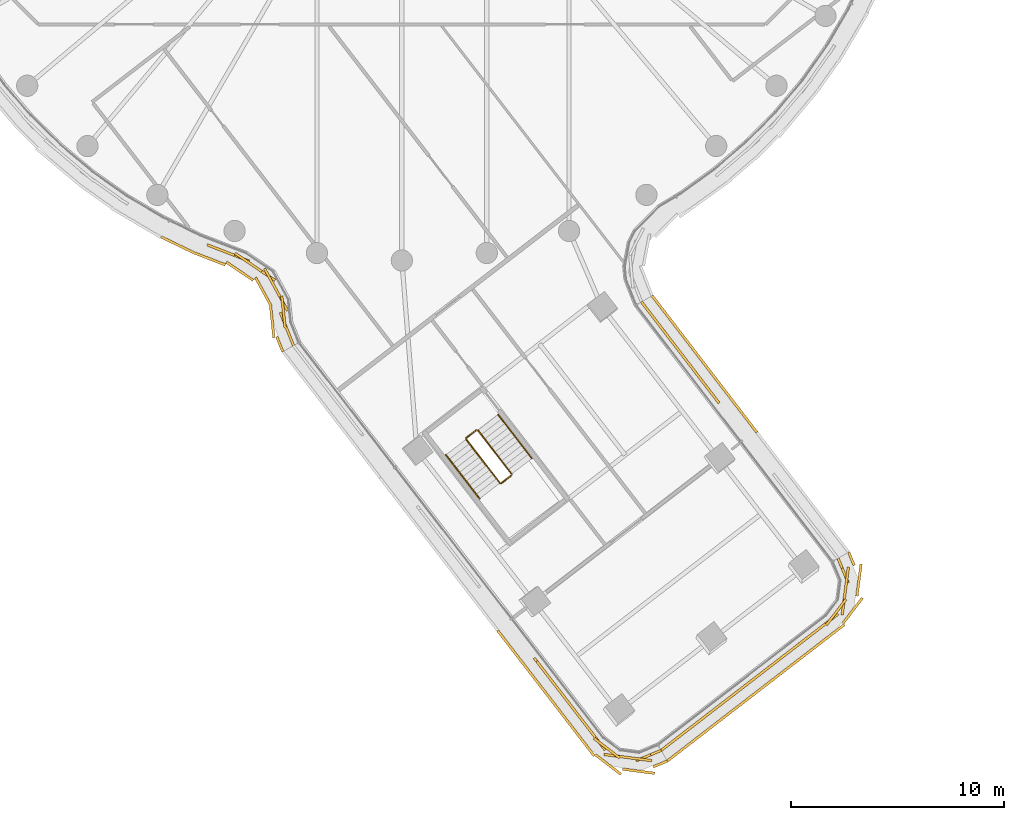
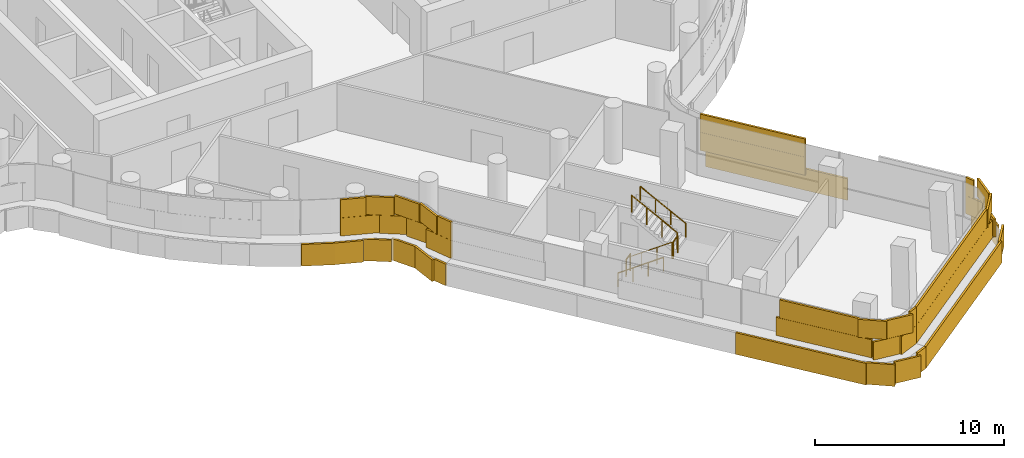
# One storey, part 27 of 33: 6 railings, 4 coverings.
"""IFC4 building model written with IfcOpenShell, lengths in metres."""

from ifc_helpers import new_model, si_unit, direction, frame, origin, origin_2d, place, context, subcontext, project, spatial, rectangle, circle, extrude, material, layer, layer_set, type_object, element, save


model = new_model("IFC4")

# Units and contexts
model_context = context("Model", 3, precision=1e-05, world=origin(), true_north=direction((0.0, 1.0)))
body_context = subcontext(model_context, "Body", "Model", "MODEL_VIEW")
ifc_project = project(units=[si_unit("LENGTHUNIT", "METRE"), si_unit("AREAUNIT", "SQUARE_METRE"), si_unit("VOLUMEUNIT", "CUBIC_METRE"), si_unit("PLANEANGLEUNIT", "RADIAN"), si_unit("MASSUNIT", "GRAM", prefix="KILO")], contexts=[model_context])

# Site, building, storey
site_placement = place(None, origin())
site = spatial("IfcSite", under=ifc_project, at=site_placement, CompositionType="ELEMENT")
building_placement = place(site_placement, origin())
building = spatial("IfcBuilding", under=site, at=building_placement, Name="Tamarind Cross Interchange Tower", CompositionType="ELEMENT")
storey_placement = place(building_placement, frame((0.0, 0.0, 170.5)))
storey = spatial("IfcBuildingStorey", under=building, at=storey_placement, Name="L42", CompositionType="ELEMENT", Elevation=170.5)

# Railings
ifc_material_1 = material(Name="Stair guard")
railing_type_1 = type_object("IfcRailingType", Name="Stair guard", PredefinedType="GUARDRAIL", material=ifc_material_1)
railing_1_placement = place(storey_placement, frame((3.022216796875, -31.41162109375, 0.17041015625)))
element("IfcRailing", 1, at=railing_1_placement, inside=storey, type_object=railing_type_1, Name="L42 ST6 stair guard 1", PredefinedType="GUARDRAIL", context=body_context, shape_type="SweptSolid", body=[
    extrude(circle(Radius=0.02392578125, at=origin_2d()), frame((0.0, 0.0, 1.076171875), z_axis=(0.510429269447, -0.662458664163, 0.548279562967), x_axis=(0.792135038923, 0.61034586925, 0.0)), (0.0, 0.0, 1.0), 3.10888671875),
    extrude(circle(Radius=0.02099609375, at=origin_2d()), origin(), (0.0, 0.0, 1.0), 1.052001953125),
    extrude(circle(Radius=0.02099609375, at=origin_2d()), frame((0.529052734375, -0.6865234375, 0.568115234375)), (0.0, 0.0, 1.0), 1.052001953125),
    extrude(circle(Radius=0.02099609375, at=origin_2d()), frame((1.057861328125, -1.373046875, 1.136474609375)), (0.0, 0.0, 1.0), 1.052001953125),
    extrude(circle(Radius=0.02099609375, at=origin_2d()), frame((1.5869140625, -2.0595703125, 1.70458984375)), (0.0, 0.0, 1.0), 1.052001953125),
])
railing_2_placement = place(storey_placement, frame((4.67919921875, -33.480224609375, 1.875)))
element("IfcRailing", 2, at=railing_2_placement, inside=storey, type_object=railing_type_1, Name="L42 ST6 stair guard 2", PredefinedType="GUARDRAIL", context=body_context, shape_type="SweptSolid", body=[
    extrude(circle(Radius=0.02392578125, at=origin_2d()), frame((0.0, 0.0, 1.076171875), z_axis=(0.792170014607, 0.610300473503, 0.0), x_axis=(-0.610300473503, 0.792170014607, 0.0)), (0.0, 0.0, 1.0), 0.60009765625),
    extrude(circle(Radius=0.02099609375, at=origin_2d()), origin(), (0.0, 0.0, 1.0), 1.052001953125),
    extrude(circle(Radius=0.02099609375, at=origin_2d()), frame((0.475341796875, 0.3662109375, 0.0)), (0.0, 0.0, 1.0), 1.052001953125),
])
railing_3_placement = place(storey_placement, frame((5.16357421875, -33.0439453125, 2.04541015625)))
element("IfcRailing", 3, at=railing_3_placement, inside=storey, type_object=railing_type_1, Name="L42 ST6 stair guard 3", PredefinedType="GUARDRAIL", context=body_context, shape_type="SweptSolid", body=[
    extrude(circle(Radius=0.02392578125, at=origin_2d()), frame((0.0, 0.0, 1.076171875), z_axis=(-0.510371197798, 0.662485216898, 0.548301539164), x_axis=(-0.792180437455, -0.610286944407, 0.0)), (0.0, 0.0, 1.0), 3.10888671875),
    extrude(circle(Radius=0.02099609375, at=origin_2d()), origin(), (0.0, 0.0, 1.0), 1.052001953125),
    extrude(circle(Radius=0.02099609375, at=origin_2d()), frame((-0.52880859375, 0.6865234375, 0.568115234375)), (0.0, 0.0, 1.0), 1.052001953125),
    extrude(circle(Radius=0.02099609375, at=origin_2d()), frame((-1.057861328125, 1.373046875, 1.136474609375)), (0.0, 0.0, 1.0), 1.052001953125),
    extrude(circle(Radius=0.02099609375, at=origin_2d()), frame((-1.586669921875, 2.0595703125, 1.70458984375)), (0.0, 0.0, 1.0), 1.052001953125),
])
railing_4_placement = place(storey_placement, frame((3.031494140625, -31.341552734375, 0.0)))
element("IfcRailing", 4, at=railing_4_placement, inside=storey, type_object=railing_type_1, Name="L42 ST6 stair guard 4", PredefinedType="GUARDRAIL", context=body_context, shape_type="SweptSolid", body=[
    extrude(circle(Radius=0.02392578125, at=origin_2d()), frame((0.0, 0.0, 1.076171875), z_axis=(0.792018396925, 0.610497222707, 0.0), x_axis=(-0.610497222707, 0.792018396925, 0.0)), (0.0, 0.0, 1.0), 0.599853515625),
    extrude(circle(Radius=0.02099609375, at=origin_2d()), origin(), (0.0, 0.0, 1.0), 1.052001953125),
    extrude(circle(Radius=0.02099609375, at=origin_2d()), frame((0.47509765625, 0.3662109375, 0.0)), (0.0, 0.0, 1.0), 1.052001953125),
])
ifc_material_2 = material(Name="Stair handrail")
railing_type_2 = type_object("IfcRailingType", Name="Stair handrail", PredefinedType="HANDRAIL", material=ifc_material_2)
railing_5_placement = place(storey_placement, frame((2.07177734375, -32.14404296875, 0.17041015625)))
element("IfcRailing", 5, at=railing_5_placement, inside=storey, type_object=railing_type_2, Name="L42 ST6 stair handrail 1", PredefinedType="HANDRAIL", context=body_context, shape_type="SweptSolid", body=[
    extrude(circle(Radius=0.02392578125, at=origin_2d()), frame((0.0, 0.0, 0.8759765625), z_axis=(0.510371197798, -0.662485216898, 0.548301539164), x_axis=(0.792180437455, 0.610286944407, 0.0)), (0.0, 0.0, 1.0), 3.10888671875),
    extrude(circle(Radius=0.02099609375, at=origin_2d()), origin(), (0.0, 0.0, 1.0), 0.851806640625),
    extrude(circle(Radius=0.02099609375, at=origin_2d()), frame((0.52880859375, -0.6865234375, 0.568115234375)), (0.0, 0.0, 1.0), 0.851806640625),
    extrude(circle(Radius=0.02099609375, at=origin_2d()), frame((1.057861328125, -1.373046875, 1.136474609375)), (0.0, 0.0, 1.0), 0.851806640625),
    extrude(circle(Radius=0.02099609375, at=origin_2d()), frame((1.586669921875, -2.0595703125, 1.70458984375)), (0.0, 0.0, 1.0), 0.851806640625),
])
railing_6_placement = place(storey_placement, frame((6.1142578125, -32.3115234375, 2.04541015625)))
element("IfcRailing", 6, at=railing_6_placement, inside=storey, type_object=railing_type_2, Name="L42 ST6 stair handrail 2", PredefinedType="HANDRAIL", context=body_context, shape_type="SweptSolid", body=[
    extrude(circle(Radius=0.02392578125, at=origin_2d()), frame((0.0, 0.0, 0.8759765625), z_axis=(-0.510429269447, 0.662458664163, 0.548279562967), x_axis=(-0.792135038923, -0.61034586925, 0.0)), (0.0, 0.0, 1.0), 3.10888671875),
    extrude(circle(Radius=0.02099609375, at=origin_2d()), origin(), (0.0, 0.0, 1.0), 0.851806640625),
    extrude(circle(Radius=0.02099609375, at=origin_2d()), frame((-0.529052734375, 0.6865234375, 0.568115234375)), (0.0, 0.0, 1.0), 0.851806640625),
    extrude(circle(Radius=0.02099609375, at=origin_2d()), frame((-1.057861328125, 1.373046875, 1.136474609375)), (0.0, 0.0, 1.0), 0.851806640625),
    extrude(circle(Radius=0.02099609375, at=origin_2d()), frame((-1.5869140625, 2.0595703125, 1.70458984375)), (0.0, 0.0, 1.0), 0.851806640625),
])

# Coverings
ifc_material_3 = material(Name="Terracotta", Category="masonry")
ifc_layer = layer(ifc_material_3, 0.1201171875)
ifc_layer_set = layer_set([ifc_layer], Name="Terracotta")
covering_type = type_object("IfcCoveringType", Name="Terracotta baguette screen unit", PredefinedType="MOLDING", material=ifc_layer_set)
covering_1_placement = place(storey_placement, origin())
element("IfcCovering", 7, at=covering_1_placement, inside=storey, type_object=covering_type, Name="SCR-L42-10-01", PredefinedType="MOLDING", context=body_context, shape_type="SweptSolid", body=[
    extrude(rectangle(XDim=0.62158203125, YDim=0.1201171875, at=origin_2d()), frame((-8.866943359375, -22.37548828125, 1.404052734375), z_axis=(0.0, 0.0, 1.0), x_axis=(0.932343972934, -0.361572559984, 0.0)), (0.0, 0.0, 1.0), 1.1669921875),
    extrude(rectangle(XDim=1.52001953125, YDim=0.1201171875, at=origin_2d()), frame((-7.882568359375, -22.757080078125, 1.404052734375), z_axis=(0.0, 0.0, 1.0), x_axis=(0.932343972934, -0.361572559984, 0.0)), (0.0, 0.0, 1.0), 1.1669921875),
    extrude(rectangle(XDim=1.52001953125, YDim=0.1201171875, at=origin_2d()), frame((-6.594970703125, -23.510986328125, 1.404052734375), z_axis=(0.0, 0.0, 1.0), x_axis=(0.827543928648, -0.561400967364, 0.0)), (0.0, 0.0, 1.0), 1.1669921875),
    extrude(rectangle(XDim=1.52001953125, YDim=0.1201171875, at=origin_2d()), frame((-5.73681640625, -24.70068359375, 1.404052734375), z_axis=(0.0, 0.0, 1.0), x_axis=(0.478047090214, -0.8783342072, 0.0)), (0.0, 0.0, 1.0), 1.1669921875),
    extrude(rectangle(XDim=1.52001953125, YDim=0.1201171875, at=origin_2d()), frame((-5.43701171875, -26.151611328125, 1.404052734375), z_axis=(0.0, 0.0, 1.0), x_axis=(0.372126452941, -0.928182041962, 0.0)), (0.0, 0.0, 1.0), 1.1669921875),
    extrude(rectangle(XDim=0.17724609375, YDim=0.1201171875, at=origin_2d()), frame((-5.126708984375, -26.92529296875, 1.404052734375), z_axis=(0.0, 0.0, 1.0), x_axis=(0.372126452941, -0.928182041962, 0.0)), (0.0, 0.0, 1.0), 1.1669921875),
    extrude(rectangle(XDim=1.37158203125, YDim=0.1201171875, at=origin_2d()), frame((-8.517333984375, -22.510986328125, 2.5791015625), z_axis=(0.0, 0.0, 1.0), x_axis=(0.932343972934, -0.361572559984, 0.0)), (0.0, 0.0, 1.0), 1.1669921875),
    extrude(rectangle(XDim=1.52001953125, YDim=0.1201171875, at=origin_2d()), frame((-7.215576171875, -23.090087890625, 2.5791015625), z_axis=(0.0, 0.0, 1.0), x_axis=(0.827543928648, -0.561400967364, 0.0)), (0.0, 0.0, 1.0), 1.1669921875),
    extrude(rectangle(XDim=1.52001953125, YDim=0.1201171875, at=origin_2d()), frame((-6.095458984375, -24.0419921875, 2.5791015625), z_axis=(0.0, 0.0, 1.0), x_axis=(0.478047090214, -0.8783342072, 0.0)), (0.0, 0.0, 1.0), 1.1669921875),
    extrude(rectangle(XDim=1.52001953125, YDim=0.1201171875, at=origin_2d()), frame((-5.568359375, -25.418701171875, 2.5791015625), z_axis=(0.0, 0.0, 1.0), x_axis=(0.105931590269, -0.99437341989, 0.0)), (0.0, 0.0, 1.0), 1.1669921875),
    extrude(rectangle(XDim=0.92724609375, YDim=0.1201171875, at=origin_2d()), frame((-5.266357421875, -26.577392578125, 2.5791015625), z_axis=(0.0, 0.0, 1.0), x_axis=(0.372126452941, -0.928182041962, 0.0)), (0.0, 0.0, 1.0), 1.1669921875),
    extrude(rectangle(XDim=0.296630859375, YDim=0.1201171875, at=origin_2d()), frame((-11.1875, -21.959228515625, 0.00390625), z_axis=(0.0, 0.0, 1.0), x_axis=(0.900272776334, -0.435326231914, 0.0)), (0.0, 0.0, 1.0), 1.39208984375),
    extrude(rectangle(XDim=1.52001953125, YDim=0.1201171875, at=origin_2d()), frame((-10.387939453125, -22.345703125, 0.00390625), z_axis=(0.0, 0.0, 1.0), x_axis=(0.900272776334, -0.435326231914, 0.0)), (0.0, 0.0, 1.0), 1.39208984375),
    extrude(rectangle(XDim=1.52001953125, YDim=0.1201171875, at=origin_2d()), frame((-9.010009765625, -22.935546875, 0.00390625), z_axis=(0.0, 0.0, 1.0), x_axis=(0.932343972934, -0.361572559984, 0.0)), (0.0, 0.0, 1.0), 1.39208984375),
    extrude(rectangle(XDim=1.52001953125, YDim=0.1201171875, at=origin_2d()), frame((-7.625732421875, -23.50537109375, 0.00390625), z_axis=(0.0, 0.0, 1.0), x_axis=(0.827543928648, -0.561400967364, 0.0)), (0.0, 0.0, 1.0), 1.39208984375),
    extrude(rectangle(XDim=1.52001953125, YDim=0.1201171875, at=origin_2d()), frame((-6.51708984375, -24.4677734375, 0.00390625), z_axis=(0.0, 0.0, 1.0), x_axis=(0.478047090214, -0.8783342072, 0.0)), (0.0, 0.0, 1.0), 1.39208984375),
    extrude(rectangle(XDim=1.52001953125, YDim=0.1201171875, at=origin_2d()), frame((-6.0966796875, -25.877685546875, 0.00390625), z_axis=(0.0, 0.0, 1.0), x_axis=(0.105931590269, -0.99437341989, 0.0)), (0.0, 0.0, 1.0), 1.39208984375),
    extrude(rectangle(XDim=0.76513671875, YDim=0.1201171875, at=origin_2d()), frame((-5.7412109375, -26.935302734375, 0.00390625), z_axis=(0.0, 0.0, 1.0), x_axis=(0.372126452941, -0.928182041962, 0.0)), (0.0, 0.0, 1.0), 1.39208984375),
])
covering_2_placement = place(storey_placement, origin())
element("IfcCovering", 8, at=covering_2_placement, inside=storey, type_object=covering_type, Name="SCR-L42-11-02", PredefinedType="MOLDING", context=body_context, shape_type="SweptSolid", body=[
    extrude(rectangle(XDim=0.958740234375, YDim=0.1201171875, at=origin_2d()), frame((6.51611328125, -42.07421875, 1.404052734375), z_axis=(0.0, 0.0, 1.0), x_axis=(0.610322147879, -0.792153315847, 0.0)), (0.0, 0.0, 1.0), 1.1669921875),
    extrude(rectangle(XDim=1.52001953125, YDim=0.1201171875, at=origin_2d()), frame((7.263427734375, -43.044189453125, 1.404052734375), z_axis=(0.0, 0.0, 1.0), x_axis=(0.610322147879, -0.792153315847, 0.0)), (0.0, 0.0, 1.0), 1.1669921875),
    extrude(rectangle(XDim=1.52001953125, YDim=0.1201171875, at=origin_2d()), frame((8.1787109375, -44.232421875, 1.404052734375), z_axis=(0.0, 0.0, 1.0), x_axis=(0.610322147879, -0.792153315847, 0.0)), (0.0, 0.0, 1.0), 1.1669921875),
    extrude(rectangle(XDim=1.52001953125, YDim=0.1201171875, at=origin_2d()), frame((9.09423828125, -45.420654296875, 1.404052734375), z_axis=(0.0, 0.0, 1.0), x_axis=(0.610322147879, -0.792153315847, 0.0)), (0.0, 0.0, 1.0), 1.1669921875),
    extrude(rectangle(XDim=1.52001953125, YDim=0.1201171875, at=origin_2d()), frame((10.254150390625, -46.328857421875, 1.404052734375), z_axis=(0.0, 0.0, 1.0), x_axis=(0.991699910849, -0.128574051901, 0.0)), (0.0, 0.0, 1.0), 1.1669921875),
    extrude(rectangle(XDim=1.29150390625, YDim=0.1201171875, at=origin_2d()), frame((11.603759765625, -46.28662109375, 1.404052734375), z_axis=(0.0, 0.0, 1.0), x_axis=(0.923124341677, 0.38450156021, 0.0)), (0.0, 0.0, 1.0), 1.1669921875),
    extrude(rectangle(XDim=1.52001953125, YDim=0.1201171875, at=origin_2d()), frame((6.8056640625, -42.449951171875, 2.5791015625), z_axis=(0.0, 0.0, 1.0), x_axis=(0.610322147879, -0.792153315847, 0.0)), (0.0, 0.0, 1.0), 1.1669921875),
    extrude(rectangle(XDim=1.52001953125, YDim=0.1201171875, at=origin_2d()), frame((7.72119140625, -43.63818359375, 2.5791015625), z_axis=(0.0, 0.0, 1.0), x_axis=(0.610322147879, -0.792153315847, 0.0)), (0.0, 0.0, 1.0), 1.1669921875),
    extrude(rectangle(XDim=1.52001953125, YDim=0.1201171875, at=origin_2d()), frame((8.636474609375, -44.826416015625, 2.5791015625), z_axis=(0.0, 0.0, 1.0), x_axis=(0.610322147879, -0.792153315847, 0.0)), (0.0, 0.0, 1.0), 1.1669921875),
    extrude(rectangle(XDim=1.52001953125, YDim=0.1201171875, at=origin_2d()), frame((9.634033203125, -45.932373046875, 2.5791015625), z_axis=(0.0, 0.0, 1.0), x_axis=(0.794550289775, -0.607198350638, 0.0)), (0.0, 0.0, 1.0), 1.1669921875),
    extrude(rectangle(XDim=1.52001953125, YDim=0.1201171875, at=origin_2d()), frame((10.998046875, -46.42529296875, 2.5791015625), z_axis=(0.0, 0.0, 1.0), x_axis=(0.991699910849, -0.128574051901, 0.0)), (0.0, 0.0, 1.0), 1.1669921875),
    extrude(rectangle(XDim=0.54150390625, YDim=0.1201171875, at=origin_2d()), frame((11.949951171875, -46.142578125, 2.5791015625), z_axis=(0.0, 0.0, 1.0), x_axis=(0.923124341677, 0.38450156021, 0.0)), (0.0, 0.0, 1.0), 1.1669921875),
    extrude(rectangle(XDim=1.450439453125, YDim=0.1201171875, at=origin_2d()), frame((4.950439453125, -40.982666015625, 0.00390625), z_axis=(0.0, 0.0, 1.0), x_axis=(0.610322147879, -0.792153315847, 0.0)), (0.0, 0.0, 1.0), 1.39208984375),
    extrude(rectangle(XDim=1.52001953125, YDim=0.1201171875, at=origin_2d()), frame((5.8447265625, -42.143310546875, 0.00390625), z_axis=(0.0, 0.0, 1.0), x_axis=(0.610322147879, -0.792153315847, 0.0)), (0.0, 0.0, 1.0), 1.39208984375),
    extrude(rectangle(XDim=1.52001953125, YDim=0.1201171875, at=origin_2d()), frame((6.760009765625, -43.33154296875, 0.00390625), z_axis=(0.0, 0.0, 1.0), x_axis=(0.610322147879, -0.792153315847, 0.0)), (0.0, 0.0, 1.0), 1.39208984375),
    extrude(rectangle(XDim=1.52001953125, YDim=0.1201171875, at=origin_2d()), frame((7.675537109375, -44.519775390625, 0.00390625), z_axis=(0.0, 0.0, 1.0), x_axis=(0.610322147879, -0.792153315847, 0.0)), (0.0, 0.0, 1.0), 1.39208984375),
    extrude(rectangle(XDim=1.52001953125, YDim=0.1201171875, at=origin_2d()), frame((8.591064453125, -45.7080078125, 0.00390625), z_axis=(0.0, 0.0, 1.0), x_axis=(0.610322147879, -0.792153315847, 0.0)), (0.0, 0.0, 1.0), 1.39208984375),
    extrude(rectangle(XDim=1.52001953125, YDim=0.1201171875, at=origin_2d()), frame((9.697998046875, -46.703857421875, 0.00390625), z_axis=(0.0, 0.0, 1.0), x_axis=(0.794550289775, -0.607198350638, 0.0)), (0.0, 0.0, 1.0), 1.39208984375),
    extrude(rectangle(XDim=1.52001953125, YDim=0.1201171875, at=origin_2d()), frame((11.13427734375, -47.021728515625, 0.00390625), z_axis=(0.0, 0.0, 1.0), x_axis=(0.991699910849, -0.128574051901, 0.0)), (0.0, 0.0, 1.0), 1.39208984375),
    extrude(rectangle(XDim=0.712890625, YDim=0.1201171875, at=origin_2d()), frame((12.15673828125, -46.67822265625, 0.00390625), z_axis=(0.0, 0.0, 1.0), x_axis=(0.923124341677, 0.38450156021, 0.0)), (0.0, 0.0, 1.0), 1.39208984375),
])
covering_3_placement = place(storey_placement, origin())
element("IfcCovering", 9, at=covering_3_placement, inside=storey, type_object=covering_type, Name="SCR-L42-12-00", PredefinedType="MOLDING", context=body_context, shape_type="SweptSolid", body=[
    extrude(rectangle(XDim=1.510009765625, YDim=0.1201171875, at=origin_2d()), frame((12.789306640625, -45.58251953125, 1.404052734375), z_axis=(0.0, 0.0, 1.0), x_axis=(0.792153315847, 0.610322147879, 0.0)), (0.0, 0.0, 1.0), 1.1669921875),
    extrude(rectangle(XDim=1.52001953125, YDim=0.1201171875, at=origin_2d()), frame((13.9775390625, -44.6669921875, 1.404052734375), z_axis=(0.0, 0.0, 1.0), x_axis=(0.792153315847, 0.610322147879, 0.0)), (0.0, 0.0, 1.0), 1.1669921875),
    extrude(rectangle(XDim=1.52001953125, YDim=0.1201171875, at=origin_2d()), frame((15.165771484375, -43.751708984375, 1.404052734375), z_axis=(0.0, 0.0, 1.0), x_axis=(0.792153315847, 0.610322147879, 0.0)), (0.0, 0.0, 1.0), 1.1669921875),
    extrude(rectangle(XDim=1.52001953125, YDim=0.1201171875, at=origin_2d()), frame((16.35400390625, -42.836181640625, 1.404052734375), z_axis=(0.0, 0.0, 1.0), x_axis=(0.792153315847, 0.610322147879, 0.0)), (0.0, 0.0, 1.0), 1.1669921875),
    extrude(rectangle(XDim=1.52001953125, YDim=0.1201171875, at=origin_2d()), frame((17.542236328125, -41.920654296875, 1.404052734375), z_axis=(0.0, 0.0, 1.0), x_axis=(0.792153315847, 0.610322147879, 0.0)), (0.0, 0.0, 1.0), 1.1669921875),
    extrude(rectangle(XDim=1.52001953125, YDim=0.1201171875, at=origin_2d()), frame((18.73046875, -41.005126953125, 1.404052734375), z_axis=(0.0, 0.0, 1.0), x_axis=(0.792153315847, 0.610322147879, 0.0)), (0.0, 0.0, 1.0), 1.1669921875),
    extrude(rectangle(XDim=1.52001953125, YDim=0.1201171875, at=origin_2d()), frame((19.918701171875, -40.089599609375, 1.404052734375), z_axis=(0.0, 0.0, 1.0), x_axis=(0.792153315847, 0.610322147879, 0.0)), (0.0, 0.0, 1.0), 1.1669921875),
    extrude(rectangle(XDim=1.52001953125, YDim=0.1201171875, at=origin_2d()), frame((20.805908203125, -38.917724609375, 1.404052734375), z_axis=(0.0, 0.0, 1.0), x_axis=(0.128574051901, 0.991699910849, 0.0)), (0.0, 0.0, 1.0), 1.1669921875),
    extrude(rectangle(XDim=1.259521484375, YDim=0.1201171875, at=origin_2d()), frame((20.753662109375, -37.5849609375, 1.404052734375), z_axis=(0.0, 0.0, 1.0), x_axis=(-0.38450156021, 0.923124341677, 0.0)), (0.0, 0.0, 1.0), 1.1669921875),
    extrude(rectangle(XDim=0.760009765625, YDim=0.1201171875, at=origin_2d()), frame((12.4921875, -45.8115234375, 2.5791015625), z_axis=(0.0, 0.0, 1.0), x_axis=(0.792153315847, 0.610322147879, 0.0)), (0.0, 0.0, 1.0), 1.1669921875),
    extrude(rectangle(XDim=1.52001953125, YDim=0.1201171875, at=origin_2d()), frame((13.383544921875, -45.124755859375, 2.5791015625), z_axis=(0.0, 0.0, 1.0), x_axis=(0.792153315847, 0.610322147879, 0.0)), (0.0, 0.0, 1.0), 1.1669921875),
    extrude(rectangle(XDim=1.52001953125, YDim=0.1201171875, at=origin_2d()), frame((14.57177734375, -44.20947265625, 2.5791015625), z_axis=(0.0, 0.0, 1.0), x_axis=(0.792153315847, 0.610322147879, 0.0)), (0.0, 0.0, 1.0), 1.1669921875),
    extrude(rectangle(XDim=1.52001953125, YDim=0.1201171875, at=origin_2d()), frame((15.760009765625, -43.2939453125, 2.5791015625), z_axis=(0.0, 0.0, 1.0), x_axis=(0.792153315847, 0.610322147879, 0.0)), (0.0, 0.0, 1.0), 1.1669921875),
    extrude(rectangle(XDim=1.52001953125, YDim=0.1201171875, at=origin_2d()), frame((16.9482421875, -42.37841796875, 2.5791015625), z_axis=(0.0, 0.0, 1.0), x_axis=(0.792153315847, 0.610322147879, 0.0)), (0.0, 0.0, 1.0), 1.1669921875),
    extrude(rectangle(XDim=1.52001953125, YDim=0.1201171875, at=origin_2d()), frame((18.136474609375, -41.462890625, 2.5791015625), z_axis=(0.0, 0.0, 1.0), x_axis=(0.792153315847, 0.610322147879, 0.0)), (0.0, 0.0, 1.0), 1.1669921875),
    extrude(rectangle(XDim=1.52001953125, YDim=0.1201171875, at=origin_2d()), frame((19.32470703125, -40.54736328125, 2.5791015625), z_axis=(0.0, 0.0, 1.0), x_axis=(0.792153315847, 0.610322147879, 0.0)), (0.0, 0.0, 1.0), 1.1669921875),
    extrude(rectangle(XDim=1.52001953125, YDim=0.1201171875, at=origin_2d()), frame((20.4248046875, -39.544189453125, 2.5791015625), z_axis=(0.0, 0.0, 1.0), x_axis=(0.607198350638, 0.794550289775, 0.0)), (0.0, 0.0, 1.0), 1.1669921875),
    extrude(rectangle(XDim=1.52001953125, YDim=0.1201171875, at=origin_2d()), frame((20.90234375, -38.173828125, 2.5791015625), z_axis=(0.0, 0.0, 1.0), x_axis=(0.128574051901, 0.991699910849, 0.0)), (0.0, 0.0, 1.0), 1.1669921875),
    extrude(rectangle(XDim=0.509521484375, YDim=0.1201171875, at=origin_2d()), frame((20.609619140625, -37.23876953125, 2.5791015625), z_axis=(0.0, 0.0, 1.0), x_axis=(-0.38450156021, 0.923124341677, 0.0)), (0.0, 0.0, 1.0), 1.1669921875),
    extrude(rectangle(XDim=1.510009765625, YDim=0.1201171875, at=origin_2d()), frame((13.083740234375, -46.080322265625, 0.00390625), z_axis=(0.0, 0.0, 1.0), x_axis=(0.792153315847, 0.610322147879, 0.0)), (0.0, 0.0, 1.0), 1.39208984375),
    extrude(rectangle(XDim=1.52001953125, YDim=0.1201171875, at=origin_2d()), frame((14.26806640625, -45.16796875, 0.00390625), z_axis=(0.0, 0.0, 1.0), x_axis=(0.792153315847, 0.610322147879, 0.0)), (0.0, 0.0, 1.0), 1.39208984375),
    extrude(rectangle(XDim=1.52001953125, YDim=0.1201171875, at=origin_2d()), frame((15.456298828125, -44.25244140625, 0.00390625), z_axis=(0.0, 0.0, 1.0), x_axis=(0.792153315847, 0.610322147879, 0.0)), (0.0, 0.0, 1.0), 1.39208984375),
    extrude(rectangle(XDim=1.52001953125, YDim=0.1201171875, at=origin_2d()), frame((16.64453125, -43.3369140625, 0.00390625), z_axis=(0.0, 0.0, 1.0), x_axis=(0.792153315847, 0.610322147879, 0.0)), (0.0, 0.0, 1.0), 1.39208984375),
    extrude(rectangle(XDim=1.52001953125, YDim=0.1201171875, at=origin_2d()), frame((17.832763671875, -42.42138671875, 0.00390625), z_axis=(0.0, 0.0, 1.0), x_axis=(0.792153315847, 0.610322147879, 0.0)), (0.0, 0.0, 1.0), 1.39208984375),
    extrude(rectangle(XDim=1.52001953125, YDim=0.1201171875, at=origin_2d()), frame((19.02099609375, -41.506103515625, 0.00390625), z_axis=(0.0, 0.0, 1.0), x_axis=(0.792153315847, 0.610322147879, 0.0)), (0.0, 0.0, 1.0), 1.39208984375),
    extrude(rectangle(XDim=1.52001953125, YDim=0.1201171875, at=origin_2d()), frame((20.209228515625, -40.590576171875, 0.00390625), z_axis=(0.0, 0.0, 1.0), x_axis=(0.792153315847, 0.610322147879, 0.0)), (0.0, 0.0, 1.0), 1.39208984375),
    extrude(rectangle(XDim=1.52001953125, YDim=0.1201171875, at=origin_2d()), frame((21.198486328125, -39.47705078125, 0.00390625), z_axis=(0.0, 0.0, 1.0), x_axis=(0.607198350638, 0.794550289775, 0.0)), (0.0, 0.0, 1.0), 1.39208984375),
    extrude(rectangle(XDim=1.52001953125, YDim=0.1201171875, at=origin_2d()), frame((21.499267578125, -38.033935546875, 0.00390625), z_axis=(0.0, 0.0, 1.0), x_axis=(0.128574051901, 0.991699910849, 0.0)), (0.0, 0.0, 1.0), 1.39208984375),
    extrude(rectangle(XDim=0.67626953125, YDim=0.1201171875, at=origin_2d()), frame((21.14453125, -37.030517578125, 0.00390625), z_axis=(0.0, 0.0, 1.0), x_axis=(-0.38450156021, 0.923124341677, 0.0)), (0.0, 0.0, 1.0), 1.39208984375),
])
covering_4_placement = place(storey_placement, origin())
element("IfcCovering", 10, at=covering_4_placement, inside=storey, type_object=covering_type, Name="SCR-L42-13-01", PredefinedType="MOLDING", context=body_context, shape_type="SweptSolid", body=[
    extrude(rectangle(XDim=1.313720703125, YDim=0.1201171875, at=origin_2d()), frame((14.523193359375, -29.19140625, 1.404052734375), z_axis=(0.0, 0.0, 1.0), x_axis=(-0.608276615198, 0.793725115769, 0.0)), (0.0, 0.0, 1.0), 1.1669921875),
    extrude(rectangle(XDim=1.52001953125, YDim=0.1201171875, at=origin_2d()), frame((13.67041015625, -28.078857421875, 1.404052734375), z_axis=(0.0, 0.0, 1.0), x_axis=(-0.608276615198, 0.793725115769, 0.0)), (0.0, 0.0, 1.0), 1.1669921875),
    extrude(rectangle(XDim=1.52001953125, YDim=0.1201171875, at=origin_2d()), frame((12.758056640625, -26.88818359375, 1.404052734375), z_axis=(0.0, 0.0, 1.0), x_axis=(-0.608276615198, 0.793725115769, 0.0)), (0.0, 0.0, 1.0), 1.1669921875),
    extrude(rectangle(XDim=1.52001953125, YDim=0.1201171875, at=origin_2d()), frame((11.845458984375, -25.697509765625, 1.404052734375), z_axis=(0.0, 0.0, 1.0), x_axis=(-0.608276615198, 0.793725115769, 0.0)), (0.0, 0.0, 1.0), 1.1669921875),
    extrude(rectangle(XDim=0.206787109375, YDim=0.1201171875, at=origin_2d()), frame((11.329345703125, -25.024169921875, 1.404052734375), z_axis=(0.0, 0.0, 1.0), x_axis=(-0.608276615198, 0.793725115769, 0.0)), (0.0, 0.0, 1.0), 1.1669921875),
    extrude(rectangle(XDim=0.563720703125, YDim=0.1201171875, at=origin_2d()), frame((14.751220703125, -29.4892578125, 2.5791015625), z_axis=(0.0, 0.0, 1.0), x_axis=(-0.608276615198, 0.793725115769, 0.0)), (0.0, 0.0, 1.0), 1.1669921875),
    extrude(rectangle(XDim=1.52001953125, YDim=0.1201171875, at=origin_2d()), frame((14.12646484375, -28.674072265625, 2.5791015625), z_axis=(0.0, 0.0, 1.0), x_axis=(-0.608276615198, 0.793725115769, 0.0)), (0.0, 0.0, 1.0), 1.1669921875),
    extrude(rectangle(XDim=1.52001953125, YDim=0.1201171875, at=origin_2d()), frame((13.214111328125, -27.4833984375, 2.5791015625), z_axis=(0.0, 0.0, 1.0), x_axis=(-0.608276615198, 0.793725115769, 0.0)), (0.0, 0.0, 1.0), 1.1669921875),
    extrude(rectangle(XDim=1.52001953125, YDim=0.1201171875, at=origin_2d()), frame((12.3017578125, -26.29296875, 2.5791015625), z_axis=(0.0, 0.0, 1.0), x_axis=(-0.608276615198, 0.793725115769, 0.0)), (0.0, 0.0, 1.0), 1.1669921875),
    extrude(rectangle(XDim=0.956787109375, YDim=0.1201171875, at=origin_2d()), frame((11.5576171875, -25.32177734375, 2.5791015625), z_axis=(0.0, 0.0, 1.0), x_axis=(-0.608276615198, 0.793725115769, 0.0)), (0.0, 0.0, 1.0), 1.1669921875),
    extrude(rectangle(XDim=0.41650390625, YDim=0.1201171875, at=origin_2d()), frame((16.572998046875, -30.9228515625, 0.00390625), z_axis=(0.0, 0.0, 1.0), x_axis=(-0.608276615198, 0.793725115769, 0.0)), (0.0, 0.0, 1.0), 1.39208984375),
    extrude(rectangle(XDim=1.52001953125, YDim=0.1201171875, at=origin_2d()), frame((15.996337890625, -30.170166015625, 0.00390625), z_axis=(0.0, 0.0, 1.0), x_axis=(-0.608276615198, 0.793725115769, 0.0)), (0.0, 0.0, 1.0), 1.39208984375),
    extrude(rectangle(XDim=1.52001953125, YDim=0.1201171875, at=origin_2d()), frame((15.083984375, -28.979736328125, 0.00390625), z_axis=(0.0, 0.0, 1.0), x_axis=(-0.608276615198, 0.793725115769, 0.0)), (0.0, 0.0, 1.0), 1.39208984375),
    extrude(rectangle(XDim=1.52001953125, YDim=0.1201171875, at=origin_2d()), frame((14.17138671875, -27.7890625, 0.00390625), z_axis=(0.0, 0.0, 1.0), x_axis=(-0.608276615198, 0.793725115769, 0.0)), (0.0, 0.0, 1.0), 1.39208984375),
    extrude(rectangle(XDim=1.52001953125, YDim=0.1201171875, at=origin_2d()), frame((13.259033203125, -26.598388671875, 0.00390625), z_axis=(0.0, 0.0, 1.0), x_axis=(-0.608276615198, 0.793725115769, 0.0)), (0.0, 0.0, 1.0), 1.39208984375),
    extrude(rectangle(XDim=1.52001953125, YDim=0.1201171875, at=origin_2d()), frame((12.3466796875, -25.407958984375, 0.00390625), z_axis=(0.0, 0.0, 1.0), x_axis=(-0.608276615198, 0.793725115769, 0.0)), (0.0, 0.0, 1.0), 1.39208984375),
    extrude(rectangle(XDim=0.200927734375, YDim=0.1201171875, at=origin_2d()), frame((11.83544921875, -24.74072265625, 0.00390625), z_axis=(0.0, 0.0, 1.0), x_axis=(-0.608276615198, 0.793725115769, 0.0)), (0.0, 0.0, 1.0), 1.39208984375),
])

save(model, "model.ifc")
